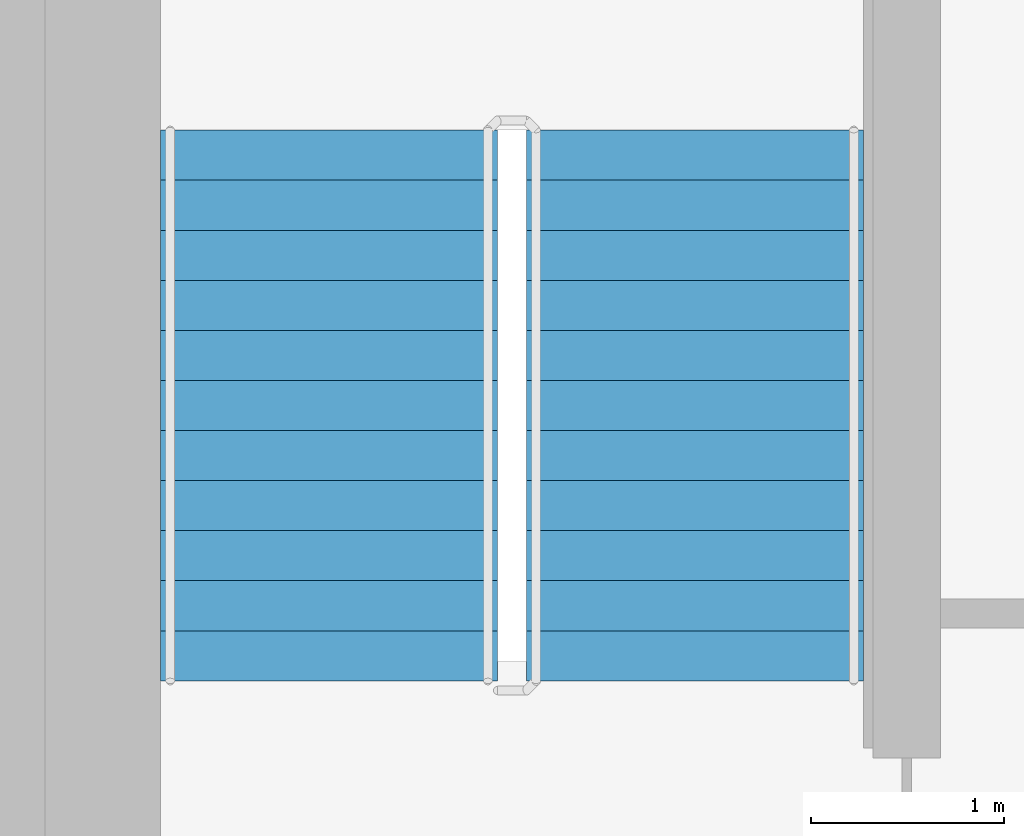
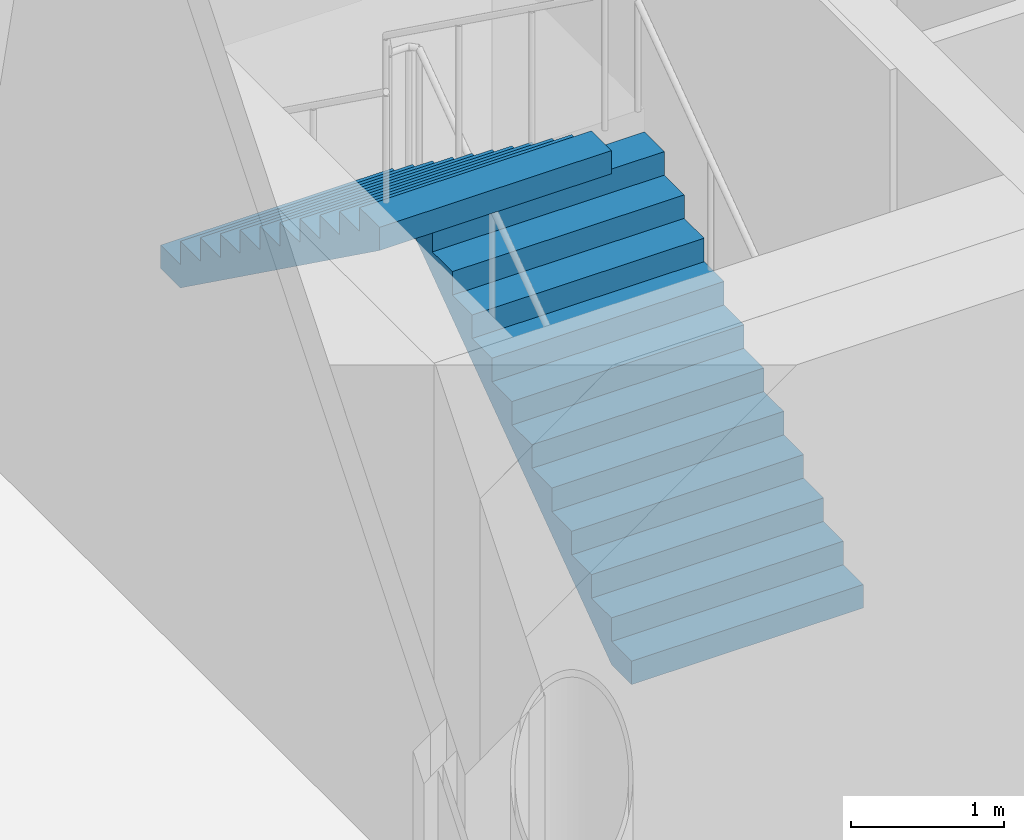
# One storey, part 11 of 12: 2 stair flights, 1 element without a shape of its own.
"""IFC4 building model written with IfcOpenShell, lengths in metres."""

from ifc_helpers import new_model, si_unit, direction, frame, origin, place, context, subcontext, project, spatial, faceted_brep, material, type_object, element, aggregate, save


model = new_model("IFC4")

# Units and contexts
model_context = context("Model", 3, precision=1e-05, world=origin(), true_north=direction((0.0, 1.0)))
body_context = subcontext(model_context, "Body", "Model", "MODEL_VIEW")
ifc_project = project(units=[si_unit("LENGTHUNIT", "METRE"), si_unit("AREAUNIT", "SQUARE_METRE"), si_unit("VOLUMEUNIT", "CUBIC_METRE"), si_unit("PLANEANGLEUNIT", "RADIAN"), si_unit("MASSUNIT", "GRAM", prefix="KILO")], contexts=[model_context])

# Site, building, storey
site_placement = place(None, origin())
site = spatial("IfcSite", under=ifc_project, at=site_placement, CompositionType="ELEMENT")
building_placement = place(site_placement, origin())
building = spatial("IfcBuilding", under=site, at=building_placement, Name="Ipe Terrace Towers", CompositionType="ELEMENT")
storey_placement = place(building_placement, frame((0.0, 0.0, 255.89990234375)))
storey = spatial("IfcBuildingStorey", under=building, at=storey_placement, Name="L70", CompositionType="ELEMENT", Elevation=255.89990234375)

# Stair, stair flights
ifc_material_1 = material(Name="Concrete C30/37", Category="concrete")
stair_type = type_object("IfcStairType", Name="Protected exit stair", PredefinedType="HALF_TURN_STAIR", material=ifc_material_1)
stair_placement = place(storey_placement, origin())
stair = element("IfcStair", 1, at=stair_placement, inside=storey, type_object=stair_type, Name="L70 Exit stair T2-C1", PredefinedType="HALF_TURN_STAIR")
ifc_material_2 = material(Name="Concrete C30/37", Category="concrete")
stair_flight_type = type_object("IfcStairFlightType", Name="Exit stair flight 1750", PredefinedType="STRAIGHT", material=ifc_material_2)
stair_flight_1_placement = place(storey_placement, frame((33.22509765625, 9.699951171875, 0.0), z_axis=(0.0, 0.0, 1.0), x_axis=(0.0, 1.0, 0.0)))
stair_flight_1 = element("IfcStairFlight", 2, at=stair_flight_1_placement, type_object=stair_flight_type, Name="T2-ST1 flight 1", NumberOfRisers=12, NumberOfTreads=11, PredefinedType="STRAIGHT", RiserHeight=0.1875, TreadLength=0.26, context=body_context, shape_type="Brep", body=[
    faceted_brep([(0.25634765625, -0.875, 0.0), (2.860107421875, -0.875, 1.877685546875), (2.860107421875, -0.875, 2.0625), (2.60009765625, -0.875, 2.0625), (2.60009765625, -0.875, 1.875), (2.340087890625, -0.875, 1.875), (2.340087890625, -0.875, 1.6875), (2.080078125, -0.875, 1.6875), (2.080078125, -0.875, 1.5), (1.820068359375, -0.875, 1.5), (1.820068359375, -0.875, 1.3125), (1.56005859375, -0.875, 1.3125), (1.56005859375, -0.875, 1.125), (1.300048828125, -0.875, 1.125), (1.300048828125, -0.875, 0.9375), (1.0400390625, -0.875, 0.9375), (1.0400390625, -0.875, 0.75), (0.780029296875, -0.875, 0.75), (0.780029296875, -0.875, 0.5625), (0.52001953125, -0.875, 0.5625), (0.52001953125, -0.875, 0.375), (0.260009765625, -0.875, 0.375), (0.260009765625, -0.875, 0.1875), (0.0, -0.875, 0.1875), (0.0, -0.875, 0.0), (0.0, 0.875, 0.0), (0.0, 0.875, 0.1875), (0.260009765625, 0.875, 0.1875), (0.260009765625, 0.875, 0.375), (0.52001953125, 0.875, 0.375), (0.52001953125, 0.875, 0.5625), (0.780029296875, 0.875, 0.5625), (0.780029296875, 0.875, 0.75), (1.0400390625, 0.875, 0.75), (1.0400390625, 0.875, 0.9375), (1.300048828125, 0.875, 0.9375), (1.300048828125, 0.875, 1.125), (1.56005859375, 0.875, 1.125), (1.56005859375, 0.875, 1.3125), (1.820068359375, 0.875, 1.3125), (1.820068359375, 0.875, 1.5), (2.080078125, 0.875, 1.5), (2.080078125, 0.875, 1.6875), (2.340087890625, 0.875, 1.6875), (2.340087890625, 0.875, 1.875), (2.60009765625, 0.875, 1.875), (2.60009765625, 0.875, 2.0625), (2.860107421875, 0.875, 2.0625), (2.860107421875, 0.875, 1.877685546875), (0.25634765625, 0.875, 0.0), (0.0, -0.300048828125, 0.1875), (0.0, -0.1201171875, 0.1875), (0.0, -0.06005859375, 0.1875), (0.0, -0.030029296875, 0.1875), (0.0, -0.010009765625, 0.1875), (0.0, 0.0, 0.1875), (0.0, 0.010009765625, 0.1875), (0.0, 0.030029296875, 0.1875), (0.0, 0.06005859375, 0.1875), (0.0, 0.1201171875, 0.1875), (0.0, 0.300048828125, 0.1875), (0.0, 0.300048828125, 0.0), (0.0, 0.1201171875, 0.0), (0.0, 0.06005859375, 0.0), (0.0, 0.030029296875, 0.0), (0.0, 0.010009765625, 0.0), (0.0, 0.0, 0.0), (0.0, -0.010009765625, 0.0), (0.0, -0.030029296875, 0.0), (0.0, -0.06005859375, 0.0), (0.0, -0.1201171875, 0.0), (0.0, -0.300048828125, 0.0), (0.260009765625, -0.300048828125, 0.1875), (0.260009765625, -0.1201171875, 0.1875), (0.260009765625, -0.06005859375, 0.1875), (0.260009765625, -0.030029296875, 0.1875), (0.260009765625, -0.010009765625, 0.1875), (0.260009765625, 0.0, 0.1875), (0.260009765625, 0.010009765625, 0.1875), (0.260009765625, 0.030029296875, 0.1875), (0.260009765625, 0.06005859375, 0.1875), (0.260009765625, 0.1201171875, 0.1875), (0.260009765625, 0.300048828125, 0.1875), (0.260009765625, -0.300048828125, 0.375), (0.260009765625, -0.1201171875, 0.375), (0.260009765625, -0.06005859375, 0.375), (0.260009765625, -0.030029296875, 0.375), (0.260009765625, -0.010009765625, 0.375), (0.260009765625, 0.0, 0.375), (0.260009765625, 0.010009765625, 0.375), (0.260009765625, 0.030029296875, 0.375), (0.260009765625, 0.06005859375, 0.375), (0.260009765625, 0.1201171875, 0.375), (0.260009765625, 0.300048828125, 0.375), (0.52001953125, -0.300048828125, 0.375), (0.52001953125, -0.1201171875, 0.375), (0.52001953125, -0.06005859375, 0.375), (0.52001953125, -0.030029296875, 0.375), (0.52001953125, -0.010009765625, 0.375), (0.52001953125, 0.0, 0.375), (0.52001953125, 0.010009765625, 0.375), (0.52001953125, 0.030029296875, 0.375), (0.52001953125, 0.06005859375, 0.375), (0.52001953125, 0.1201171875, 0.375), (0.52001953125, 0.300048828125, 0.375), (0.52001953125, -0.300048828125, 0.5625), (0.52001953125, -0.1201171875, 0.5625), (0.52001953125, -0.06005859375, 0.5625), (0.52001953125, -0.030029296875, 0.5625), (0.52001953125, -0.010009765625, 0.5625), (0.52001953125, 0.0, 0.5625), (0.52001953125, 0.010009765625, 0.5625), (0.52001953125, 0.030029296875, 0.5625), (0.52001953125, 0.06005859375, 0.5625), (0.52001953125, 0.1201171875, 0.5625), (0.52001953125, 0.300048828125, 0.5625), (0.780029296875, -0.300048828125, 0.5625), (0.780029296875, -0.1201171875, 0.5625), (0.780029296875, -0.06005859375, 0.5625), (0.780029296875, -0.030029296875, 0.5625), (0.780029296875, -0.010009765625, 0.5625), (0.780029296875, 0.0, 0.5625), (0.780029296875, 0.010009765625, 0.5625), (0.780029296875, 0.030029296875, 0.5625), (0.780029296875, 0.06005859375, 0.5625), (0.780029296875, 0.1201171875, 0.5625), (0.780029296875, 0.300048828125, 0.5625), (0.780029296875, -0.300048828125, 0.75), (0.780029296875, -0.1201171875, 0.75), (0.780029296875, -0.06005859375, 0.75), (0.780029296875, -0.030029296875, 0.75), (0.780029296875, -0.010009765625, 0.75), (0.780029296875, 0.0, 0.75), (0.780029296875, 0.010009765625, 0.75), (0.780029296875, 0.030029296875, 0.75), (0.780029296875, 0.06005859375, 0.75), (0.780029296875, 0.1201171875, 0.75), (0.780029296875, 0.300048828125, 0.75), (1.0400390625, -0.300048828125, 0.75), (1.0400390625, -0.1201171875, 0.75), (1.0400390625, -0.06005859375, 0.75), (1.0400390625, -0.030029296875, 0.75), (1.0400390625, -0.010009765625, 0.75), (1.0400390625, 0.0, 0.75), (1.0400390625, 0.010009765625, 0.75), (1.0400390625, 0.030029296875, 0.75), (1.0400390625, 0.06005859375, 0.75), (1.0400390625, 0.1201171875, 0.75), (1.0400390625, 0.300048828125, 0.75), (1.0400390625, -0.300048828125, 0.9375), (1.0400390625, -0.1201171875, 0.9375), (1.0400390625, -0.06005859375, 0.9375), (1.0400390625, -0.030029296875, 0.9375), (1.0400390625, -0.010009765625, 0.9375), (1.0400390625, 0.0, 0.9375), (1.0400390625, 0.010009765625, 0.9375), (1.0400390625, 0.030029296875, 0.9375), (1.0400390625, 0.06005859375, 0.9375), (1.0400390625, 0.1201171875, 0.9375), (1.0400390625, 0.300048828125, 0.9375), (1.300048828125, -0.300048828125, 0.9375), (1.300048828125, -0.1201171875, 0.9375), (1.300048828125, -0.06005859375, 0.9375), (1.300048828125, -0.030029296875, 0.9375), (1.300048828125, -0.010009765625, 0.9375), (1.300048828125, 0.0, 0.9375), (1.300048828125, 0.010009765625, 0.9375), (1.300048828125, 0.030029296875, 0.9375), (1.300048828125, 0.06005859375, 0.9375), (1.300048828125, 0.1201171875, 0.9375), (1.300048828125, 0.300048828125, 0.9375), (1.300048828125, -0.300048828125, 1.125), (1.300048828125, -0.1201171875, 1.125), (1.300048828125, -0.06005859375, 1.125), (1.300048828125, -0.030029296875, 1.125), (1.300048828125, -0.010009765625, 1.125), (1.300048828125, 0.0, 1.125), (1.300048828125, 0.010009765625, 1.125), (1.300048828125, 0.030029296875, 1.125), (1.300048828125, 0.06005859375, 1.125), (1.300048828125, 0.1201171875, 1.125), (1.300048828125, 0.300048828125, 1.125), (1.56005859375, -0.300048828125, 1.125), (1.56005859375, -0.1201171875, 1.125), (1.56005859375, -0.06005859375, 1.125), (1.56005859375, -0.030029296875, 1.125), (1.56005859375, -0.010009765625, 1.125), (1.56005859375, 0.0, 1.125), (1.56005859375, 0.010009765625, 1.125), (1.56005859375, 0.030029296875, 1.125), (1.56005859375, 0.06005859375, 1.125), (1.56005859375, 0.1201171875, 1.125), (1.56005859375, 0.300048828125, 1.125), (1.56005859375, -0.300048828125, 1.3125), (1.56005859375, -0.1201171875, 1.3125), (1.56005859375, -0.06005859375, 1.3125), (1.56005859375, -0.030029296875, 1.3125), (1.56005859375, -0.010009765625, 1.3125), (1.56005859375, 0.0, 1.3125), (1.56005859375, 0.010009765625, 1.3125), (1.56005859375, 0.030029296875, 1.3125), (1.56005859375, 0.06005859375, 1.3125), (1.56005859375, 0.1201171875, 1.3125), (1.56005859375, 0.300048828125, 1.3125), (1.820068359375, -0.300048828125, 1.3125), (1.820068359375, -0.1201171875, 1.3125), (1.820068359375, -0.06005859375, 1.3125), (1.820068359375, -0.030029296875, 1.3125), (1.820068359375, -0.010009765625, 1.3125), (1.820068359375, 0.0, 1.3125), (1.820068359375, 0.010009765625, 1.3125), (1.820068359375, 0.030029296875, 1.3125), (1.820068359375, 0.06005859375, 1.3125), (1.820068359375, 0.1201171875, 1.3125), (1.820068359375, 0.300048828125, 1.3125), (1.820068359375, -0.300048828125, 1.5), (1.820068359375, -0.1201171875, 1.5), (1.820068359375, -0.06005859375, 1.5), (1.820068359375, -0.030029296875, 1.5), (1.820068359375, -0.010009765625, 1.5), (1.820068359375, 0.0, 1.5), (1.820068359375, 0.010009765625, 1.5), (1.820068359375, 0.030029296875, 1.5), (1.820068359375, 0.06005859375, 1.5), (1.820068359375, 0.1201171875, 1.5), (1.820068359375, 0.300048828125, 1.5), (2.080078125, -0.300048828125, 1.5), (2.080078125, -0.1201171875, 1.5), (2.080078125, -0.06005859375, 1.5), (2.080078125, -0.030029296875, 1.5), (2.080078125, -0.010009765625, 1.5), (2.080078125, 0.0, 1.5), (2.080078125, 0.010009765625, 1.5), (2.080078125, 0.030029296875, 1.5), (2.080078125, 0.06005859375, 1.5), (2.080078125, 0.1201171875, 1.5), (2.080078125, 0.300048828125, 1.5), (2.080078125, -0.300048828125, 1.6875), (2.080078125, -0.1201171875, 1.6875), (2.080078125, -0.06005859375, 1.6875), (2.080078125, -0.030029296875, 1.6875), (2.080078125, -0.010009765625, 1.6875), (2.080078125, 0.0, 1.6875), (2.080078125, 0.010009765625, 1.6875), (2.080078125, 0.030029296875, 1.6875), (2.080078125, 0.06005859375, 1.6875), (2.080078125, 0.1201171875, 1.6875), (2.080078125, 0.300048828125, 1.6875), (2.340087890625, -0.300048828125, 1.6875), (2.340087890625, -0.1201171875, 1.6875), (2.340087890625, -0.06005859375, 1.6875), (2.340087890625, -0.030029296875, 1.6875), (2.340087890625, -0.010009765625, 1.6875), (2.340087890625, 0.0, 1.6875), (2.340087890625, 0.010009765625, 1.6875), (2.340087890625, 0.030029296875, 1.6875), (2.340087890625, 0.06005859375, 1.6875), (2.340087890625, 0.1201171875, 1.6875), (2.340087890625, 0.300048828125, 1.6875), (2.340087890625, -0.300048828125, 1.875), (2.340087890625, -0.1201171875, 1.875), (2.340087890625, -0.06005859375, 1.875), (2.340087890625, -0.030029296875, 1.875), (2.340087890625, -0.010009765625, 1.875), (2.340087890625, 0.0, 1.875), (2.340087890625, 0.010009765625, 1.875), (2.340087890625, 0.030029296875, 1.875), (2.340087890625, 0.06005859375, 1.875), (2.340087890625, 0.1201171875, 1.875), (2.340087890625, 0.300048828125, 1.875), (2.60009765625, -0.300048828125, 1.875), (2.60009765625, -0.1201171875, 1.875), (2.60009765625, -0.06005859375, 1.875), (2.60009765625, -0.030029296875, 1.875), (2.60009765625, -0.010009765625, 1.875), (2.60009765625, 0.0, 1.875), (2.60009765625, 0.010009765625, 1.875), (2.60009765625, 0.030029296875, 1.875), (2.60009765625, 0.06005859375, 1.875), (2.60009765625, 0.1201171875, 1.875), (2.60009765625, 0.300048828125, 1.875), (2.60009765625, -0.300048828125, 2.0625), (2.60009765625, -0.1201171875, 2.0625), (2.60009765625, -0.06005859375, 2.0625), (2.60009765625, -0.030029296875, 2.0625), (2.60009765625, -0.010009765625, 2.0625), (2.60009765625, 0.0, 2.0625), (2.60009765625, 0.010009765625, 2.0625), (2.60009765625, 0.030029296875, 2.0625), (2.60009765625, 0.06005859375, 2.0625), (2.60009765625, 0.1201171875, 2.0625), (2.60009765625, 0.300048828125, 2.0625), (2.860107421875, -0.300048828125, 2.0625), (2.860107421875, -0.1201171875, 2.0625), (2.860107421875, -0.06005859375, 2.0625), (2.860107421875, -0.030029296875, 2.0625), (2.860107421875, -0.010009765625, 2.0625), (2.860107421875, 0.0, 2.0625), (2.860107421875, 0.010009765625, 2.0625), (2.860107421875, 0.030029296875, 2.0625), (2.860107421875, 0.06005859375, 2.0625), (2.860107421875, 0.1201171875, 2.0625), (2.860107421875, 0.300048828125, 2.0625), (2.860107421875, -0.300048828125, 1.877685546875), (2.860107421875, -0.1201171875, 1.877685546875), (2.860107421875, -0.06005859375, 1.877685546875), (2.860107421875, -0.030029296875, 1.877685546875), (2.860107421875, -0.010009765625, 1.877685546875), (2.860107421875, 0.0, 1.877685546875), (2.860107421875, 0.010009765625, 1.877685546875), (2.860107421875, 0.030029296875, 1.877685546875), (2.860107421875, 0.06005859375, 1.877685546875), (2.860107421875, 0.1201171875, 1.877685546875), (2.860107421875, 0.300048828125, 1.877685546875), (0.25634765625, -0.300048828125, 0.0), (0.25634765625, -0.1201171875, 0.0), (0.25634765625, -0.06005859375, 0.0), (0.25634765625, -0.030029296875, 0.0), (0.25634765625, -0.010009765625, 0.0), (0.25634765625, 0.0, 0.0), (0.25634765625, 0.010009765625, 0.0), (0.25634765625, 0.030029296875, 0.0), (0.25634765625, 0.06005859375, 0.0), (0.25634765625, 0.1201171875, 0.0), (0.25634765625, 0.300048828125, 0.0)], [[[0, 1, 2, 3, 4, 5, 6, 7, 8, 9, 10, 11, 12, 13, 14, 15, 16, 17, 18, 19, 20, 21, 22, 23, 24]], [[25, 26, 27, 28, 29, 30, 31, 32, 33, 34, 35, 36, 37, 38, 39, 40, 41, 42, 43, 44, 45, 46, 47, 48, 49]], [[23, 50, 51, 52, 53, 54, 55, 56, 57, 58, 59, 60, 26, 25, 61, 62, 63, 64, 65, 66, 67, 68, 69, 70, 71, 24]], [[22, 72, 73, 74, 75, 76, 77, 78, 79, 80, 81, 82, 27, 26, 60, 59, 58, 57, 56, 55, 54, 53, 52, 51, 50, 23]], [[21, 83, 84, 85, 86, 87, 88, 89, 90, 91, 92, 93, 28, 27, 82, 81, 80, 79, 78, 77, 76, 75, 74, 73, 72, 22]], [[20, 94, 95, 96, 97, 98, 99, 100, 101, 102, 103, 104, 29, 28, 93, 92, 91, 90, 89, 88, 87, 86, 85, 84, 83, 21]], [[19, 105, 106, 107, 108, 109, 110, 111, 112, 113, 114, 115, 30, 29, 104, 103, 102, 101, 100, 99, 98, 97, 96, 95, 94, 20]], [[18, 116, 117, 118, 119, 120, 121, 122, 123, 124, 125, 126, 31, 30, 115, 114, 113, 112, 111, 110, 109, 108, 107, 106, 105, 19]], [[17, 127, 128, 129, 130, 131, 132, 133, 134, 135, 136, 137, 32, 31, 126, 125, 124, 123, 122, 121, 120, 119, 118, 117, 116, 18]], [[16, 138, 139, 140, 141, 142, 143, 144, 145, 146, 147, 148, 33, 32, 137, 136, 135, 134, 133, 132, 131, 130, 129, 128, 127, 17]], [[15, 149, 150, 151, 152, 153, 154, 155, 156, 157, 158, 159, 34, 33, 148, 147, 146, 145, 144, 143, 142, 141, 140, 139, 138, 16]], [[14, 160, 161, 162, 163, 164, 165, 166, 167, 168, 169, 170, 35, 34, 159, 158, 157, 156, 155, 154, 153, 152, 151, 150, 149, 15]], [[13, 171, 172, 173, 174, 175, 176, 177, 178, 179, 180, 181, 36, 35, 170, 169, 168, 167, 166, 165, 164, 163, 162, 161, 160, 14]], [[12, 182, 183, 184, 185, 186, 187, 188, 189, 190, 191, 192, 37, 36, 181, 180, 179, 178, 177, 176, 175, 174, 173, 172, 171, 13]], [[11, 193, 194, 195, 196, 197, 198, 199, 200, 201, 202, 203, 38, 37, 192, 191, 190, 189, 188, 187, 186, 185, 184, 183, 182, 12]], [[10, 204, 205, 206, 207, 208, 209, 210, 211, 212, 213, 214, 39, 38, 203, 202, 201, 200, 199, 198, 197, 196, 195, 194, 193, 11]], [[9, 215, 216, 217, 218, 219, 220, 221, 222, 223, 224, 225, 40, 39, 214, 213, 212, 211, 210, 209, 208, 207, 206, 205, 204, 10]], [[8, 226, 227, 228, 229, 230, 231, 232, 233, 234, 235, 236, 41, 40, 225, 224, 223, 222, 221, 220, 219, 218, 217, 216, 215, 9]], [[7, 237, 238, 239, 240, 241, 242, 243, 244, 245, 246, 247, 42, 41, 236, 235, 234, 233, 232, 231, 230, 229, 228, 227, 226, 8]], [[6, 248, 249, 250, 251, 252, 253, 254, 255, 256, 257, 258, 43, 42, 247, 246, 245, 244, 243, 242, 241, 240, 239, 238, 237, 7]], [[5, 259, 260, 261, 262, 263, 264, 265, 266, 267, 268, 269, 44, 43, 258, 257, 256, 255, 254, 253, 252, 251, 250, 249, 248, 6]], [[4, 270, 271, 272, 273, 274, 275, 276, 277, 278, 279, 280, 45, 44, 269, 268, 267, 266, 265, 264, 263, 262, 261, 260, 259, 5]], [[3, 281, 282, 283, 284, 285, 286, 287, 288, 289, 290, 291, 46, 45, 280, 279, 278, 277, 276, 275, 274, 273, 272, 271, 270, 4]], [[2, 292, 293, 294, 295, 296, 297, 298, 299, 300, 301, 302, 47, 46, 291, 290, 289, 288, 287, 286, 285, 284, 283, 282, 281, 3]], [[1, 303, 304, 305, 306, 307, 308, 309, 310, 311, 312, 313, 48, 47, 302, 301, 300, 299, 298, 297, 296, 295, 294, 293, 292, 2]], [[0, 314, 315, 316, 317, 318, 319, 320, 321, 322, 323, 324, 49, 48, 313, 312, 311, 310, 309, 308, 307, 306, 305, 304, 303, 1]], [[24, 71, 70, 69, 68, 67, 66, 65, 64, 63, 62, 61, 25, 49, 324, 323, 322, 321, 320, 319, 318, 317, 316, 315, 314, 0]]]),
])
stair_flight_2_placement = place(storey_placement, frame((31.324951171875, 12.56005859375, 2.25), z_axis=(0.0, 0.0, 1.0), x_axis=(0.0, -1.0, 0.0)))
stair_flight_2 = element("IfcStairFlight", 3, at=stair_flight_2_placement, type_object=stair_flight_type, Name="T2-ST1 flight 2", NumberOfRisers=12, NumberOfTreads=11, PredefinedType="STRAIGHT", RiserHeight=0.1875, TreadLength=0.26, context=body_context, shape_type="Brep", body=[
    faceted_brep([(0.25634765625, -0.875, 0.0), (2.860107421875, -0.875, 1.877685546875), (2.860107421875, -0.875, 2.0625), (2.60009765625, -0.875, 2.0625), (2.60009765625, -0.875, 1.875), (2.340087890625, -0.875, 1.875), (2.340087890625, -0.875, 1.6875), (2.080078125, -0.875, 1.6875), (2.080078125, -0.875, 1.5), (1.820068359375, -0.875, 1.5), (1.820068359375, -0.875, 1.3125), (1.56005859375, -0.875, 1.3125), (1.56005859375, -0.875, 1.125), (1.300048828125, -0.875, 1.125), (1.300048828125, -0.875, 0.9375), (1.0400390625, -0.875, 0.9375), (1.0400390625, -0.875, 0.75), (0.780029296875, -0.875, 0.75), (0.780029296875, -0.875, 0.5625), (0.52001953125, -0.875, 0.5625), (0.52001953125, -0.875, 0.375), (0.260009765625, -0.875, 0.375), (0.260009765625, -0.875, 0.1875), (0.0, -0.875, 0.1875), (0.0, -0.875, 0.0), (0.0, 0.875, 0.0), (0.0, 0.875, 0.1875), (0.260009765625, 0.875, 0.1875), (0.260009765625, 0.875, 0.375), (0.52001953125, 0.875, 0.375), (0.52001953125, 0.875, 0.5625), (0.780029296875, 0.875, 0.5625), (0.780029296875, 0.875, 0.75), (1.0400390625, 0.875, 0.75), (1.0400390625, 0.875, 0.9375), (1.300048828125, 0.875, 0.9375), (1.300048828125, 0.875, 1.125), (1.56005859375, 0.875, 1.125), (1.56005859375, 0.875, 1.3125), (1.820068359375, 0.875, 1.3125), (1.820068359375, 0.875, 1.5), (2.080078125, 0.875, 1.5), (2.080078125, 0.875, 1.6875), (2.340087890625, 0.875, 1.6875), (2.340087890625, 0.875, 1.875), (2.60009765625, 0.875, 1.875), (2.60009765625, 0.875, 2.0625), (2.860107421875, 0.875, 2.0625), (2.860107421875, 0.875, 1.877685546875), (0.25634765625, 0.875, 0.0), (0.0, -0.300048828125, 0.1875), (0.0, -0.1201171875, 0.1875), (0.0, -0.06005859375, 0.1875), (0.0, -0.030029296875, 0.1875), (0.0, -0.010009765625, 0.1875), (0.0, 0.0, 0.1875), (0.0, 0.010009765625, 0.1875), (0.0, 0.030029296875, 0.1875), (0.0, 0.06005859375, 0.1875), (0.0, 0.1201171875, 0.1875), (0.0, 0.300048828125, 0.1875), (0.0, 0.300048828125, 0.0), (0.0, 0.1201171875, 0.0), (0.0, 0.06005859375, 0.0), (0.0, 0.030029296875, 0.0), (0.0, 0.010009765625, 0.0), (0.0, 0.0, 0.0), (0.0, -0.010009765625, 0.0), (0.0, -0.030029296875, 0.0), (0.0, -0.06005859375, 0.0), (0.0, -0.1201171875, 0.0), (0.0, -0.300048828125, 0.0), (0.260009765625, -0.300048828125, 0.1875), (0.260009765625, -0.1201171875, 0.1875), (0.260009765625, -0.06005859375, 0.1875), (0.260009765625, -0.030029296875, 0.1875), (0.260009765625, -0.010009765625, 0.1875), (0.260009765625, 0.0, 0.1875), (0.260009765625, 0.010009765625, 0.1875), (0.260009765625, 0.030029296875, 0.1875), (0.260009765625, 0.06005859375, 0.1875), (0.260009765625, 0.1201171875, 0.1875), (0.260009765625, 0.300048828125, 0.1875), (0.260009765625, -0.300048828125, 0.375), (0.260009765625, -0.1201171875, 0.375), (0.260009765625, -0.06005859375, 0.375), (0.260009765625, -0.030029296875, 0.375), (0.260009765625, -0.010009765625, 0.375), (0.260009765625, 0.0, 0.375), (0.260009765625, 0.010009765625, 0.375), (0.260009765625, 0.030029296875, 0.375), (0.260009765625, 0.06005859375, 0.375), (0.260009765625, 0.1201171875, 0.375), (0.260009765625, 0.300048828125, 0.375), (0.52001953125, -0.300048828125, 0.375), (0.52001953125, -0.1201171875, 0.375), (0.52001953125, -0.06005859375, 0.375), (0.52001953125, -0.030029296875, 0.375), (0.52001953125, -0.010009765625, 0.375), (0.52001953125, 0.0, 0.375), (0.52001953125, 0.010009765625, 0.375), (0.52001953125, 0.030029296875, 0.375), (0.52001953125, 0.06005859375, 0.375), (0.52001953125, 0.1201171875, 0.375), (0.52001953125, 0.300048828125, 0.375), (0.52001953125, -0.300048828125, 0.5625), (0.52001953125, -0.1201171875, 0.5625), (0.52001953125, -0.06005859375, 0.5625), (0.52001953125, -0.030029296875, 0.5625), (0.52001953125, -0.010009765625, 0.5625), (0.52001953125, 0.0, 0.5625), (0.52001953125, 0.010009765625, 0.5625), (0.52001953125, 0.030029296875, 0.5625), (0.52001953125, 0.06005859375, 0.5625), (0.52001953125, 0.1201171875, 0.5625), (0.52001953125, 0.300048828125, 0.5625), (0.780029296875, -0.300048828125, 0.5625), (0.780029296875, -0.1201171875, 0.5625), (0.780029296875, -0.06005859375, 0.5625), (0.780029296875, -0.030029296875, 0.5625), (0.780029296875, -0.010009765625, 0.5625), (0.780029296875, 0.0, 0.5625), (0.780029296875, 0.010009765625, 0.5625), (0.780029296875, 0.030029296875, 0.5625), (0.780029296875, 0.06005859375, 0.5625), (0.780029296875, 0.1201171875, 0.5625), (0.780029296875, 0.300048828125, 0.5625), (0.780029296875, -0.300048828125, 0.75), (0.780029296875, -0.1201171875, 0.75), (0.780029296875, -0.06005859375, 0.75), (0.780029296875, -0.030029296875, 0.75), (0.780029296875, -0.010009765625, 0.75), (0.780029296875, 0.0, 0.75), (0.780029296875, 0.010009765625, 0.75), (0.780029296875, 0.030029296875, 0.75), (0.780029296875, 0.06005859375, 0.75), (0.780029296875, 0.1201171875, 0.75), (0.780029296875, 0.300048828125, 0.75), (1.0400390625, -0.300048828125, 0.75), (1.0400390625, -0.1201171875, 0.75), (1.0400390625, -0.06005859375, 0.75), (1.0400390625, -0.030029296875, 0.75), (1.0400390625, -0.010009765625, 0.75), (1.0400390625, 0.0, 0.75), (1.0400390625, 0.010009765625, 0.75), (1.0400390625, 0.030029296875, 0.75), (1.0400390625, 0.06005859375, 0.75), (1.0400390625, 0.1201171875, 0.75), (1.0400390625, 0.300048828125, 0.75), (1.0400390625, -0.300048828125, 0.9375), (1.0400390625, -0.1201171875, 0.9375), (1.0400390625, -0.06005859375, 0.9375), (1.0400390625, -0.030029296875, 0.9375), (1.0400390625, -0.010009765625, 0.9375), (1.0400390625, 0.0, 0.9375), (1.0400390625, 0.010009765625, 0.9375), (1.0400390625, 0.030029296875, 0.9375), (1.0400390625, 0.06005859375, 0.9375), (1.0400390625, 0.1201171875, 0.9375), (1.0400390625, 0.300048828125, 0.9375), (1.300048828125, -0.300048828125, 0.9375), (1.300048828125, -0.1201171875, 0.9375), (1.300048828125, -0.06005859375, 0.9375), (1.300048828125, -0.030029296875, 0.9375), (1.300048828125, -0.010009765625, 0.9375), (1.300048828125, 0.0, 0.9375), (1.300048828125, 0.010009765625, 0.9375), (1.300048828125, 0.030029296875, 0.9375), (1.300048828125, 0.06005859375, 0.9375), (1.300048828125, 0.1201171875, 0.9375), (1.300048828125, 0.300048828125, 0.9375), (1.300048828125, -0.300048828125, 1.125), (1.300048828125, -0.1201171875, 1.125), (1.300048828125, -0.06005859375, 1.125), (1.300048828125, -0.030029296875, 1.125), (1.300048828125, -0.010009765625, 1.125), (1.300048828125, 0.0, 1.125), (1.300048828125, 0.010009765625, 1.125), (1.300048828125, 0.030029296875, 1.125), (1.300048828125, 0.06005859375, 1.125), (1.300048828125, 0.1201171875, 1.125), (1.300048828125, 0.300048828125, 1.125), (1.56005859375, -0.300048828125, 1.125), (1.56005859375, -0.1201171875, 1.125), (1.56005859375, -0.06005859375, 1.125), (1.56005859375, -0.030029296875, 1.125), (1.56005859375, -0.010009765625, 1.125), (1.56005859375, 0.0, 1.125), (1.56005859375, 0.010009765625, 1.125), (1.56005859375, 0.030029296875, 1.125), (1.56005859375, 0.06005859375, 1.125), (1.56005859375, 0.1201171875, 1.125), (1.56005859375, 0.300048828125, 1.125), (1.56005859375, -0.300048828125, 1.3125), (1.56005859375, -0.1201171875, 1.3125), (1.56005859375, -0.06005859375, 1.3125), (1.56005859375, -0.030029296875, 1.3125), (1.56005859375, -0.010009765625, 1.3125), (1.56005859375, 0.0, 1.3125), (1.56005859375, 0.010009765625, 1.3125), (1.56005859375, 0.030029296875, 1.3125), (1.56005859375, 0.06005859375, 1.3125), (1.56005859375, 0.1201171875, 1.3125), (1.56005859375, 0.300048828125, 1.3125), (1.820068359375, -0.300048828125, 1.3125), (1.820068359375, -0.1201171875, 1.3125), (1.820068359375, -0.06005859375, 1.3125), (1.820068359375, -0.030029296875, 1.3125), (1.820068359375, -0.010009765625, 1.3125), (1.820068359375, 0.0, 1.3125), (1.820068359375, 0.010009765625, 1.3125), (1.820068359375, 0.030029296875, 1.3125), (1.820068359375, 0.06005859375, 1.3125), (1.820068359375, 0.1201171875, 1.3125), (1.820068359375, 0.300048828125, 1.3125), (1.820068359375, -0.300048828125, 1.5), (1.820068359375, -0.1201171875, 1.5), (1.820068359375, -0.06005859375, 1.5), (1.820068359375, -0.030029296875, 1.5), (1.820068359375, -0.010009765625, 1.5), (1.820068359375, 0.0, 1.5), (1.820068359375, 0.010009765625, 1.5), (1.820068359375, 0.030029296875, 1.5), (1.820068359375, 0.06005859375, 1.5), (1.820068359375, 0.1201171875, 1.5), (1.820068359375, 0.300048828125, 1.5), (2.080078125, -0.300048828125, 1.5), (2.080078125, -0.1201171875, 1.5), (2.080078125, -0.06005859375, 1.5), (2.080078125, -0.030029296875, 1.5), (2.080078125, -0.010009765625, 1.5), (2.080078125, 0.0, 1.5), (2.080078125, 0.010009765625, 1.5), (2.080078125, 0.030029296875, 1.5), (2.080078125, 0.06005859375, 1.5), (2.080078125, 0.1201171875, 1.5), (2.080078125, 0.300048828125, 1.5), (2.080078125, -0.300048828125, 1.6875), (2.080078125, -0.1201171875, 1.6875), (2.080078125, -0.06005859375, 1.6875), (2.080078125, -0.030029296875, 1.6875), (2.080078125, -0.010009765625, 1.6875), (2.080078125, 0.0, 1.6875), (2.080078125, 0.010009765625, 1.6875), (2.080078125, 0.030029296875, 1.6875), (2.080078125, 0.06005859375, 1.6875), (2.080078125, 0.1201171875, 1.6875), (2.080078125, 0.300048828125, 1.6875), (2.340087890625, -0.300048828125, 1.6875), (2.340087890625, -0.1201171875, 1.6875), (2.340087890625, -0.06005859375, 1.6875), (2.340087890625, -0.030029296875, 1.6875), (2.340087890625, -0.010009765625, 1.6875), (2.340087890625, 0.0, 1.6875), (2.340087890625, 0.010009765625, 1.6875), (2.340087890625, 0.030029296875, 1.6875), (2.340087890625, 0.06005859375, 1.6875), (2.340087890625, 0.1201171875, 1.6875), (2.340087890625, 0.300048828125, 1.6875), (2.340087890625, -0.300048828125, 1.875), (2.340087890625, -0.1201171875, 1.875), (2.340087890625, -0.06005859375, 1.875), (2.340087890625, -0.030029296875, 1.875), (2.340087890625, -0.010009765625, 1.875), (2.340087890625, 0.0, 1.875), (2.340087890625, 0.010009765625, 1.875), (2.340087890625, 0.030029296875, 1.875), (2.340087890625, 0.06005859375, 1.875), (2.340087890625, 0.1201171875, 1.875), (2.340087890625, 0.300048828125, 1.875), (2.60009765625, -0.300048828125, 1.875), (2.60009765625, -0.1201171875, 1.875), (2.60009765625, -0.06005859375, 1.875), (2.60009765625, -0.030029296875, 1.875), (2.60009765625, -0.010009765625, 1.875), (2.60009765625, 0.0, 1.875), (2.60009765625, 0.010009765625, 1.875), (2.60009765625, 0.030029296875, 1.875), (2.60009765625, 0.06005859375, 1.875), (2.60009765625, 0.1201171875, 1.875), (2.60009765625, 0.300048828125, 1.875), (2.60009765625, -0.300048828125, 2.0625), (2.60009765625, -0.1201171875, 2.0625), (2.60009765625, -0.06005859375, 2.0625), (2.60009765625, -0.030029296875, 2.0625), (2.60009765625, -0.010009765625, 2.0625), (2.60009765625, 0.0, 2.0625), (2.60009765625, 0.010009765625, 2.0625), (2.60009765625, 0.030029296875, 2.0625), (2.60009765625, 0.06005859375, 2.0625), (2.60009765625, 0.1201171875, 2.0625), (2.60009765625, 0.300048828125, 2.0625), (2.860107421875, -0.300048828125, 2.0625), (2.860107421875, -0.1201171875, 2.0625), (2.860107421875, -0.06005859375, 2.0625), (2.860107421875, -0.030029296875, 2.0625), (2.860107421875, -0.010009765625, 2.0625), (2.860107421875, 0.0, 2.0625), (2.860107421875, 0.010009765625, 2.0625), (2.860107421875, 0.030029296875, 2.0625), (2.860107421875, 0.06005859375, 2.0625), (2.860107421875, 0.1201171875, 2.0625), (2.860107421875, 0.300048828125, 2.0625), (2.860107421875, -0.300048828125, 1.877685546875), (2.860107421875, -0.1201171875, 1.877685546875), (2.860107421875, -0.06005859375, 1.877685546875), (2.860107421875, -0.030029296875, 1.877685546875), (2.860107421875, -0.010009765625, 1.877685546875), (2.860107421875, 0.0, 1.877685546875), (2.860107421875, 0.010009765625, 1.877685546875), (2.860107421875, 0.030029296875, 1.877685546875), (2.860107421875, 0.06005859375, 1.877685546875), (2.860107421875, 0.1201171875, 1.877685546875), (2.860107421875, 0.300048828125, 1.877685546875), (0.25634765625, -0.300048828125, 0.0), (0.25634765625, -0.1201171875, 0.0), (0.25634765625, -0.06005859375, 0.0), (0.25634765625, -0.030029296875, 0.0), (0.25634765625, -0.010009765625, 0.0), (0.25634765625, 0.0, 0.0), (0.25634765625, 0.010009765625, 0.0), (0.25634765625, 0.030029296875, 0.0), (0.25634765625, 0.06005859375, 0.0), (0.25634765625, 0.1201171875, 0.0), (0.25634765625, 0.300048828125, 0.0)], [[[0, 1, 2, 3, 4, 5, 6, 7, 8, 9, 10, 11, 12, 13, 14, 15, 16, 17, 18, 19, 20, 21, 22, 23, 24]], [[25, 26, 27, 28, 29, 30, 31, 32, 33, 34, 35, 36, 37, 38, 39, 40, 41, 42, 43, 44, 45, 46, 47, 48, 49]], [[23, 50, 51, 52, 53, 54, 55, 56, 57, 58, 59, 60, 26, 25, 61, 62, 63, 64, 65, 66, 67, 68, 69, 70, 71, 24]], [[22, 72, 73, 74, 75, 76, 77, 78, 79, 80, 81, 82, 27, 26, 60, 59, 58, 57, 56, 55, 54, 53, 52, 51, 50, 23]], [[21, 83, 84, 85, 86, 87, 88, 89, 90, 91, 92, 93, 28, 27, 82, 81, 80, 79, 78, 77, 76, 75, 74, 73, 72, 22]], [[20, 94, 95, 96, 97, 98, 99, 100, 101, 102, 103, 104, 29, 28, 93, 92, 91, 90, 89, 88, 87, 86, 85, 84, 83, 21]], [[19, 105, 106, 107, 108, 109, 110, 111, 112, 113, 114, 115, 30, 29, 104, 103, 102, 101, 100, 99, 98, 97, 96, 95, 94, 20]], [[18, 116, 117, 118, 119, 120, 121, 122, 123, 124, 125, 126, 31, 30, 115, 114, 113, 112, 111, 110, 109, 108, 107, 106, 105, 19]], [[17, 127, 128, 129, 130, 131, 132, 133, 134, 135, 136, 137, 32, 31, 126, 125, 124, 123, 122, 121, 120, 119, 118, 117, 116, 18]], [[16, 138, 139, 140, 141, 142, 143, 144, 145, 146, 147, 148, 33, 32, 137, 136, 135, 134, 133, 132, 131, 130, 129, 128, 127, 17]], [[15, 149, 150, 151, 152, 153, 154, 155, 156, 157, 158, 159, 34, 33, 148, 147, 146, 145, 144, 143, 142, 141, 140, 139, 138, 16]], [[14, 160, 161, 162, 163, 164, 165, 166, 167, 168, 169, 170, 35, 34, 159, 158, 157, 156, 155, 154, 153, 152, 151, 150, 149, 15]], [[13, 171, 172, 173, 174, 175, 176, 177, 178, 179, 180, 181, 36, 35, 170, 169, 168, 167, 166, 165, 164, 163, 162, 161, 160, 14]], [[12, 182, 183, 184, 185, 186, 187, 188, 189, 190, 191, 192, 37, 36, 181, 180, 179, 178, 177, 176, 175, 174, 173, 172, 171, 13]], [[11, 193, 194, 195, 196, 197, 198, 199, 200, 201, 202, 203, 38, 37, 192, 191, 190, 189, 188, 187, 186, 185, 184, 183, 182, 12]], [[10, 204, 205, 206, 207, 208, 209, 210, 211, 212, 213, 214, 39, 38, 203, 202, 201, 200, 199, 198, 197, 196, 195, 194, 193, 11]], [[9, 215, 216, 217, 218, 219, 220, 221, 222, 223, 224, 225, 40, 39, 214, 213, 212, 211, 210, 209, 208, 207, 206, 205, 204, 10]], [[8, 226, 227, 228, 229, 230, 231, 232, 233, 234, 235, 236, 41, 40, 225, 224, 223, 222, 221, 220, 219, 218, 217, 216, 215, 9]], [[7, 237, 238, 239, 240, 241, 242, 243, 244, 245, 246, 247, 42, 41, 236, 235, 234, 233, 232, 231, 230, 229, 228, 227, 226, 8]], [[6, 248, 249, 250, 251, 252, 253, 254, 255, 256, 257, 258, 43, 42, 247, 246, 245, 244, 243, 242, 241, 240, 239, 238, 237, 7]], [[5, 259, 260, 261, 262, 263, 264, 265, 266, 267, 268, 269, 44, 43, 258, 257, 256, 255, 254, 253, 252, 251, 250, 249, 248, 6]], [[4, 270, 271, 272, 273, 274, 275, 276, 277, 278, 279, 280, 45, 44, 269, 268, 267, 266, 265, 264, 263, 262, 261, 260, 259, 5]], [[3, 281, 282, 283, 284, 285, 286, 287, 288, 289, 290, 291, 46, 45, 280, 279, 278, 277, 276, 275, 274, 273, 272, 271, 270, 4]], [[2, 292, 293, 294, 295, 296, 297, 298, 299, 300, 301, 302, 47, 46, 291, 290, 289, 288, 287, 286, 285, 284, 283, 282, 281, 3]], [[1, 303, 304, 305, 306, 307, 308, 309, 310, 311, 312, 313, 48, 47, 302, 301, 300, 299, 298, 297, 296, 295, 294, 293, 292, 2]], [[0, 314, 315, 316, 317, 318, 319, 320, 321, 322, 323, 324, 49, 48, 313, 312, 311, 310, 309, 308, 307, 306, 305, 304, 303, 1]], [[24, 71, 70, 69, 68, 67, 66, 65, 64, 63, 62, 61, 25, 49, 324, 323, 322, 321, 320, 319, 318, 317, 316, 315, 314, 0]]]),
])
aggregate(stair, [stair_flight_1, stair_flight_2])

save(model, "model.ifc")
